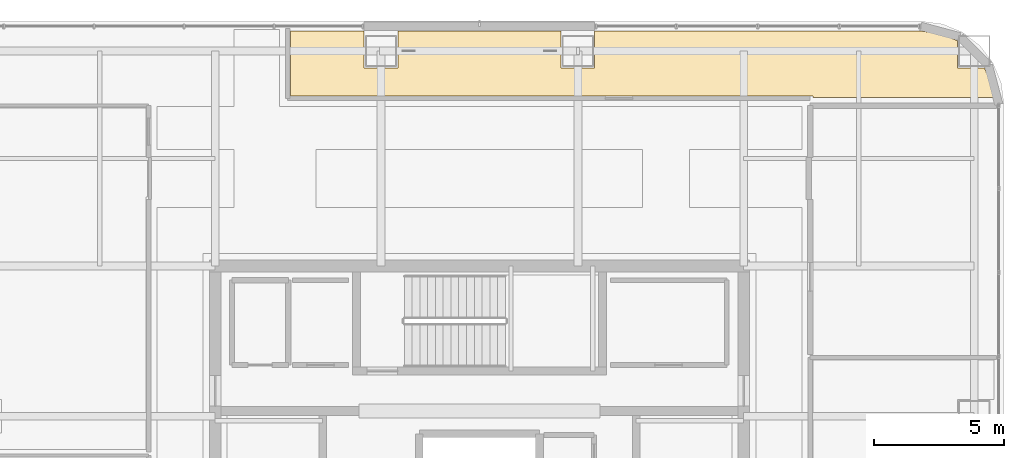
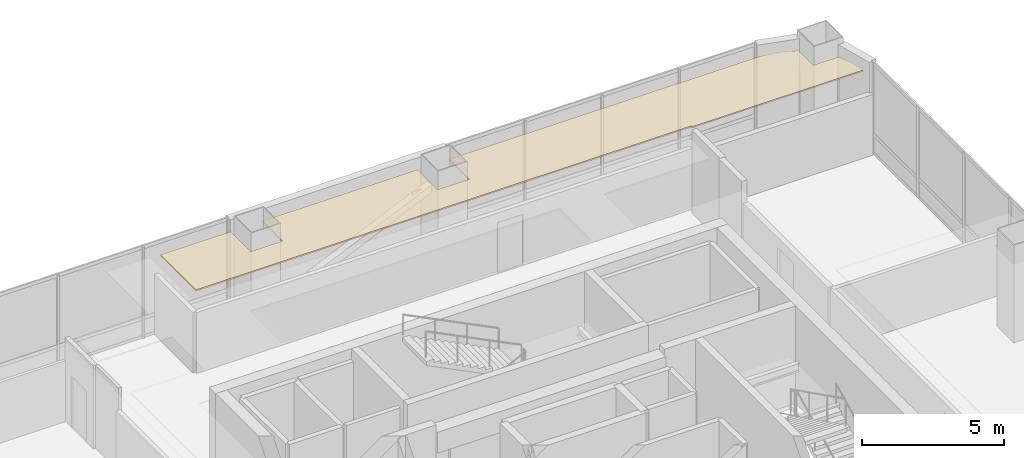
# One storey, part 46 of 46: 1 covering.
"""IFC4 building model written with IfcOpenShell, lengths in metres."""

from ifc_helpers import new_model, si_unit, direction, frame, origin, place, context, subcontext, project, spatial, polyline, outline, extrude, material, layer, layer_set, type_object, element, save


model = new_model("IFC4")

# Units and contexts
model_context = context("Model", 3, precision=1e-05, world=origin(), true_north=direction((0.0, 1.0)))
body_context = subcontext(model_context, "Body", "Model", "MODEL_VIEW")
ifc_project = project(units=[si_unit("LENGTHUNIT", "METRE"), si_unit("AREAUNIT", "SQUARE_METRE"), si_unit("VOLUMEUNIT", "CUBIC_METRE"), si_unit("PLANEANGLEUNIT", "RADIAN"), si_unit("MASSUNIT", "GRAM", prefix="KILO")], contexts=[model_context])

# Site, building, storey
site_placement = place(None, origin())
site = spatial("IfcSite", under=ifc_project, at=site_placement, CompositionType="ELEMENT")
building_placement = place(site_placement, origin())
building = spatial("IfcBuilding", under=site, at=building_placement, Name="Punatoya Terracotta Tower", CompositionType="ELEMENT")
storey_placement = place(building_placement, frame((0.0, 0.0, 330.0)))
storey = spatial("IfcBuildingStorey", under=building, at=storey_placement, Name="L78", CompositionType="ELEMENT", Elevation=330.0)

# Covering
ifc_material = material(Name="Acoustic Mineral Fibre Ceiling")
ifc_layer = layer(ifc_material, 0.06005859375)
ifc_layer_set = layer_set([ifc_layer], Name="Acoustic Mineral Fibre Ceiling")
covering_type = type_object("IfcCoveringType", Name="COV-CEIL-60", PredefinedType="CEILING", material=ifc_layer_set)
covering_placement = place(storey_placement, frame((0.0, 0.0, 3.389892578125)))
element("IfcCovering", 1, at=covering_placement, inside=storey, type_object=covering_type, Name="L78 Open-Plan Hydrology Modelling Laboratory Acoustic Ceiling", PredefinedType="CEILING", context=body_context, shape_type="SweptSolid", body=[
    extrude(outline(polyline([(-4.449951171875, 16.85009765625), (-4.449951171875, 18.27001953125), (-7.300048828125, 18.27001953125), (-7.300048828125, 15.77001953125), (12.8701171875, 15.77001953125), (12.8701171875, 15.7099609375), (19.83251953125, 15.7099609375), (19.770751953125, 16.178955078125), (19.492919921875, 16.85009765625), (18.449951171875, 16.85009765625), (18.449951171875, 17.892822265625), (17.779052734375, 18.1708984375), (17.025146484375, 18.27001953125), (4.449951171875, 18.27001953125), (4.449951171875, 16.85009765625), (3.14990234375, 16.85009765625), (3.14990234375, 18.27001953125), (-3.14990234375, 18.27001953125), (-3.14990234375, 16.85009765625), (-4.449951171875, 16.85009765625)])), origin(), (0.0, 0.0, 1.0), 0.06005859375),
])

save(model, "model.ifc")
